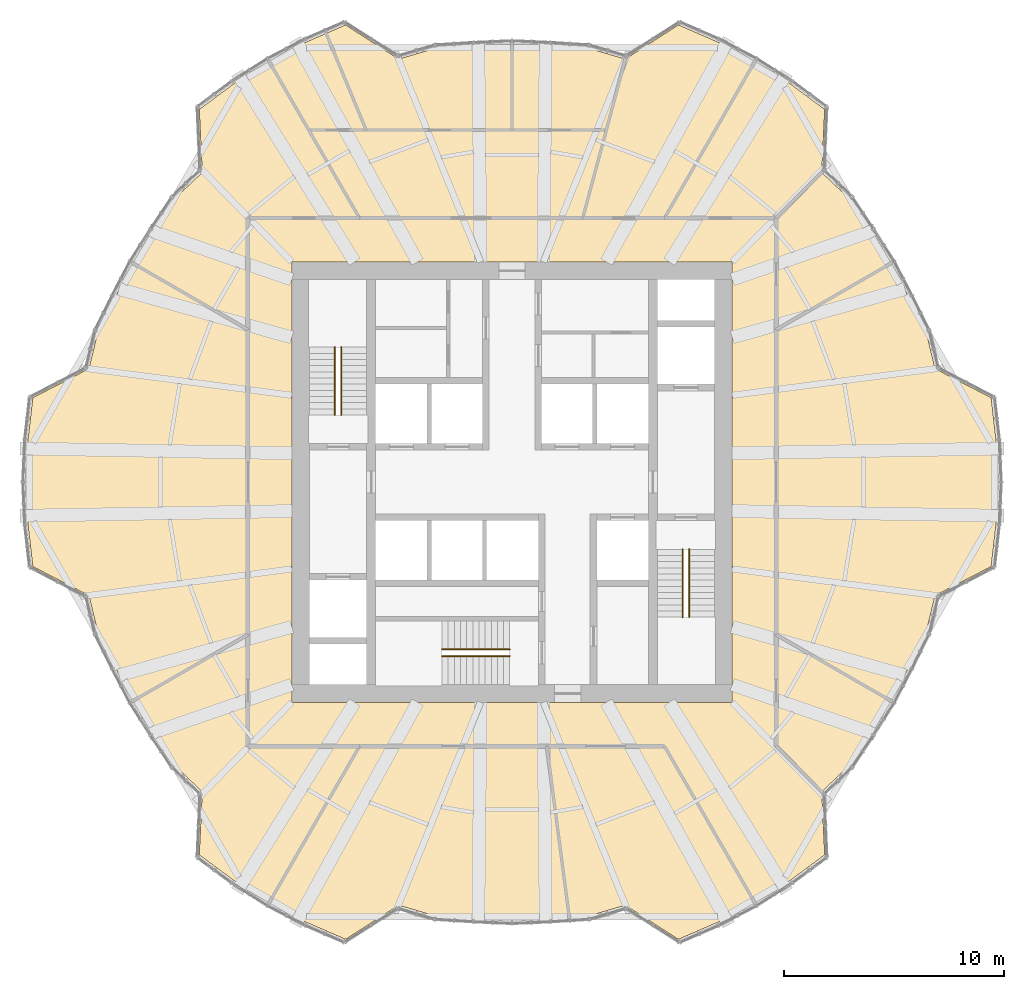
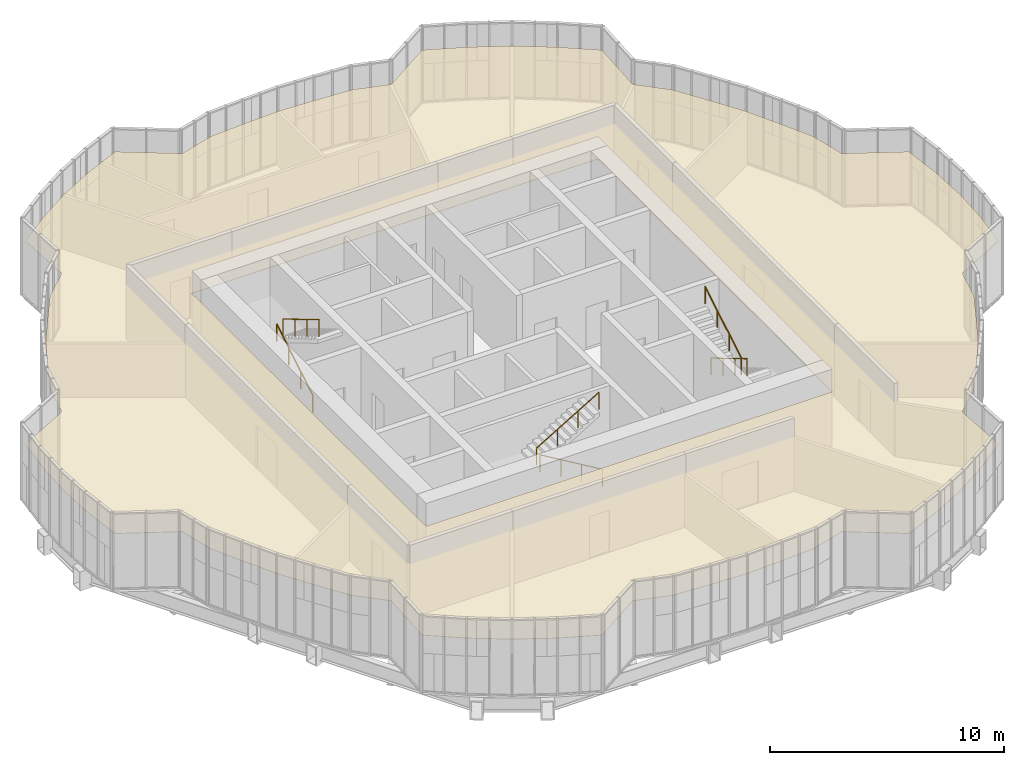
# One storey, part 24 of 24: 6 railings, 1 covering.
"""IFC4 building model written with IfcOpenShell, lengths in metres."""

from ifc_helpers import new_model, si_unit, direction, frame, origin, origin_2d, place, context, subcontext, project, spatial, polyline, circle, outline, extrude, material, layer, layer_set, type_object, element, save


model = new_model("IFC4")

# Units and contexts
model_context = context("Model", 3, precision=1e-05, world=origin(), true_north=direction((0.0, 1.0)))
body_context = subcontext(model_context, "Body", "Model", "MODEL_VIEW")
ifc_project = project(units=[si_unit("LENGTHUNIT", "METRE"), si_unit("AREAUNIT", "SQUARE_METRE"), si_unit("VOLUMEUNIT", "CUBIC_METRE"), si_unit("PLANEANGLEUNIT", "RADIAN"), si_unit("MASSUNIT", "GRAM", prefix="KILO")], contexts=[model_context])

# Site, building, storey
site_placement = place(None, origin())
site = spatial("IfcSite", under=ifc_project, at=site_placement, CompositionType="ELEMENT")
building_placement = place(site_placement, origin())
building = spatial("IfcBuilding", under=site, at=building_placement, Name="Golbaran Civic Tower", CompositionType="ELEMENT")
storey_placement = place(building_placement, frame((0.0, 0.0, 25.0)))
storey = spatial("IfcBuildingStorey", under=building, at=storey_placement, Name="L05", CompositionType="ELEMENT", Elevation=25.0)

# Railings
ifc_material_1 = material(Name="Stainless steel", Category="steel")
railing_type = type_object("IfcRailingType", Name="STAIR HANDRAIL 900", PredefinedType="HANDRAIL", material=ifc_material_1)
railing_1_placement = place(storey_placement, frame((-8.050048828125, 3.050048828125, 0.166748046875)))
element("IfcRailing", 1, at=railing_1_placement, inside=storey, type_object=railing_type, Name="Stair S1 handrail flight 1 L05", PredefinedType="HANDRAIL", context=body_context, shape_type="SweptSolid", body=[
    extrude(circle(Radius=0.02392578125, at=origin_2d()), frame((0.0, 0.0, 0.8759765625), z_axis=(0.0, 0.859290745958, 0.51148745235), x_axis=(-1.0, 0.0, 0.0)), (0.0, 0.0, 1.0), 3.584228515625),
    extrude(circle(Radius=0.02099609375, at=origin_2d()), origin(), (0.0, 0.0, 1.0), 0.851806640625),
    extrude(circle(Radius=0.02099609375, at=origin_2d()), frame((0.0, 1.026611328125, 0.611083984375)), (0.0, 0.0, 1.0), 0.851806640625),
    extrude(circle(Radius=0.02099609375, at=origin_2d()), frame((0.0, 2.05322265625, 1.22216796875)), (0.0, 0.0, 1.0), 0.851806640625),
    extrude(circle(Radius=0.02099609375, at=origin_2d()), frame((0.0, 3.079833984375, 1.833251953125)), (0.0, 0.0, 1.0), 0.851806640625),
])
for number, where, name in (
    (2, (-7.75, 6.1298828125, 2.166748046875), "Stair S1 handrail flight 2 L05"),
    (3, (8.050048828125, -3.050048828125, 0.166748046875), "Stair S2 handrail flight 1 L05"),
):
    element("IfcRailing", number, at=place(storey_placement, frame(where)), inside=storey, type_object=railing_type, Name=name, PredefinedType="HANDRAIL", context=body_context, shape_type="SweptSolid", body=[
        extrude(circle(Radius=0.02392578125, at=origin_2d()), frame((0.0, 0.0, 0.8759765625), z_axis=(0.0, -0.859290745958, 0.51148745235), x_axis=(1.0, 0.0, 0.0)), (0.0, 0.0, 1.0), 3.584228515625),
        extrude(circle(Radius=0.02099609375, at=origin_2d()), origin(), (0.0, 0.0, 1.0), 0.851806640625),
        extrude(circle(Radius=0.02099609375, at=origin_2d()), frame((0.0, -1.026611328125, 0.611083984375)), (0.0, 0.0, 1.0), 0.851806640625),
        extrude(circle(Radius=0.02099609375, at=origin_2d()), frame((0.0, -2.05322265625, 1.22216796875)), (0.0, 0.0, 1.0), 0.851806640625),
        extrude(circle(Radius=0.02099609375, at=origin_2d()), frame((0.0, -3.079833984375, 1.833251953125)), (0.0, 0.0, 1.0), 0.851806640625),
    ])
railing_2_placement = place(storey_placement, frame((7.75, -6.1298828125, 2.166748046875)))
element("IfcRailing", 4, at=railing_2_placement, inside=storey, type_object=railing_type, Name="Stair S2 handrail flight 2 L05", PredefinedType="HANDRAIL", context=body_context, shape_type="SweptSolid", body=[
    extrude(circle(Radius=0.02392578125, at=origin_2d()), frame((0.0, 0.0, 0.8759765625), z_axis=(0.0, 0.859290745958, 0.51148745235), x_axis=(-1.0, 0.0, 0.0)), (0.0, 0.0, 1.0), 3.584228515625),
    extrude(circle(Radius=0.02099609375, at=origin_2d()), origin(), (0.0, 0.0, 1.0), 0.851806640625),
    extrude(circle(Radius=0.02099609375, at=origin_2d()), frame((0.0, 1.026611328125, 0.611083984375)), (0.0, 0.0, 1.0), 0.851806640625),
    extrude(circle(Radius=0.02099609375, at=origin_2d()), frame((0.0, 2.05322265625, 1.22216796875)), (0.0, 0.0, 1.0), 0.851806640625),
    extrude(circle(Radius=0.02099609375, at=origin_2d()), frame((0.0, 3.079833984375, 1.833251953125)), (0.0, 0.0, 1.0), 0.851806640625),
])
railing_3_placement = place(storey_placement, frame((-0.10009765625, -7.89990234375, 0.166748046875)))
element("IfcRailing", 5, at=railing_3_placement, inside=storey, type_object=railing_type, Name="Stair S3 handrail flight 1 L05", PredefinedType="HANDRAIL", context=body_context, shape_type="SweptSolid", body=[
    extrude(circle(Radius=0.02392578125, at=origin_2d()), frame((0.0, 0.0, 0.8759765625), z_axis=(-0.859290745958, 0.0, 0.51148745235), x_axis=(0.0, -1.0, 0.0)), (0.0, 0.0, 1.0), 3.584228515625),
    extrude(circle(Radius=0.02099609375, at=origin_2d()), origin(), (0.0, 0.0, 1.0), 0.851806640625),
    extrude(circle(Radius=0.02099609375, at=origin_2d()), frame((-1.026611328125, 0.0, 0.611083984375)), (0.0, 0.0, 1.0), 0.851806640625),
    extrude(circle(Radius=0.02099609375, at=origin_2d()), frame((-2.05322265625, 0.0, 1.22216796875)), (0.0, 0.0, 1.0), 0.851806640625),
    extrude(circle(Radius=0.02099609375, at=origin_2d()), frame((-3.079833984375, 0.0, 1.833251953125)), (0.0, 0.0, 1.0), 0.851806640625),
])
railing_4_placement = place(storey_placement, frame((-3.179931640625, -7.60009765625, 2.166748046875)))
element("IfcRailing", 6, at=railing_4_placement, inside=storey, type_object=railing_type, Name="Stair S3 handrail flight 2 L05", PredefinedType="HANDRAIL", context=body_context, shape_type="SweptSolid", body=[
    extrude(circle(Radius=0.02392578125, at=origin_2d()), frame((0.0, 0.0, 0.8759765625), z_axis=(0.859290745958, 0.0, 0.51148745235), x_axis=(0.0, 1.0, 0.0)), (0.0, 0.0, 1.0), 3.584228515625),
    extrude(circle(Radius=0.02099609375, at=origin_2d()), origin(), (0.0, 0.0, 1.0), 0.851806640625),
    extrude(circle(Radius=0.02099609375, at=origin_2d()), frame((1.026611328125, 0.0, 0.611083984375)), (0.0, 0.0, 1.0), 0.851806640625),
    extrude(circle(Radius=0.02099609375, at=origin_2d()), frame((2.05322265625, 0.0, 1.22216796875)), (0.0, 0.0, 1.0), 0.851806640625),
    extrude(circle(Radius=0.02099609375, at=origin_2d()), frame((3.079833984375, 0.0, 1.833251953125)), (0.0, 0.0, 1.0), 0.851806640625),
])

# Covering
ifc_material_2 = material(Name="Mineral fibre tile on steel grid", Category="steel")
ifc_layer = layer(ifc_material_2, 0.02001953125, Name="Mineral fibre tile on steel grid")
ifc_layer_set = layer_set([ifc_layer], Name="Mineral fibre tile on steel grid")
covering_type = type_object("IfcCoveringType", Name="SUSPENDED CEILING 600 TILE 20", PredefinedType="CEILING", material=ifc_layer_set)
covering_placement = place(storey_placement, frame((0.0, 0.0, 2.800048828125)))
element("IfcCovering", 7, at=covering_placement, inside=storey, type_object=covering_type, Name="Suspended ceiling L05", PredefinedType="CEILING", context=body_context, shape_type="SweptSolid", body=[
    extrude(outline(polyline([(-19.218017578125, -5.1494140625), (-21.76513671875, -3.837890625), (-21.98583984375, -1.923583984375), (-22.06982421875, 0.0), (-21.98583984375, 1.923583984375), (-21.76513671875, 3.837890625), (-19.218017578125, 5.1494140625), (-18.807861328125, 6.845458984375), (-18.03173828125, 8.408447265625), (-17.230224609375, 9.947998046875), (-16.297607421875, 11.411865234375), (-15.332275390625, 12.865234375), (-14.068603515625, 14.068603515625), (-14.2060546875, 16.93017578125), (-12.65869140625, 18.07861328125), (-11.034912109375, 19.113037109375), (-9.3271484375, 20.002197265625), (-7.558837890625, 20.76806640625), (-5.1494140625, 19.218017578125), (-3.4755859375, 19.710693359375), (-1.734130859375, 19.820068359375), (0.0, 19.895751953125), (1.734130859375, 19.820068359375), (3.4755859375, 19.710693359375), (5.1494140625, 19.218017578125), (7.558837890625, 20.76806640625), (9.3271484375, 20.002197265625), (11.034912109375, 19.113037109375), (12.65869140625, 18.07861328125), (14.2060546875, 16.93017578125), (14.068603515625, 14.068603515625), (15.332275390625, 12.865234375), (16.297607421875, 11.411865234375), (17.230224609375, 9.947998046875), (18.03173828125, 8.408447265625), (18.807861328125, 6.845458984375), (19.218017578125, 5.1494140625), (21.76513671875, 3.837890625), (21.98583984375, 1.923583984375), (22.06982421875, 0.0), (21.98583984375, -1.923583984375), (21.76513671875, -3.837890625), (19.218017578125, -5.1494140625), (18.807861328125, -6.845458984375), (18.03173828125, -8.408447265625), (17.230224609375, -9.947998046875), (16.297607421875, -11.411865234375), (15.332275390625, -12.865234375), (14.068603515625, -14.068603515625), (14.2060546875, -16.93017578125), (12.65869140625, -18.07861328125), (11.034912109375, -19.113037109375), (9.3271484375, -20.002197265625), (7.558837890625, -20.76806640625), (5.1494140625, -19.218017578125), (3.4755859375, -19.710693359375), (1.734130859375, -19.820068359375), (0.0, -19.895751953125), (-1.734130859375, -19.820068359375), (-3.4755859375, -19.710693359375), (-5.1494140625, -19.218017578125), (-7.558837890625, -20.76806640625), (-9.3271484375, -20.002197265625), (-11.034912109375, -19.113037109375), (-12.65869140625, -18.07861328125), (-14.2060546875, -16.93017578125), (-14.068603515625, -14.068603515625), (-15.332275390625, -12.865234375), (-16.297607421875, -11.411865234375), (-17.230224609375, -9.947998046875), (-18.03173828125, -8.408447265625), (-18.807861328125, -6.845458984375), (-19.218017578125, -5.1494140625)]), holes=[polyline([(10.0, 10.0), (-10.0, 10.0), (-10.0, -10.0), (10.0, -10.0), (10.0, 10.0)])]), origin(), (0.0, 0.0, 1.0), 0.02001953125),
])

save(model, "model.ifc")
